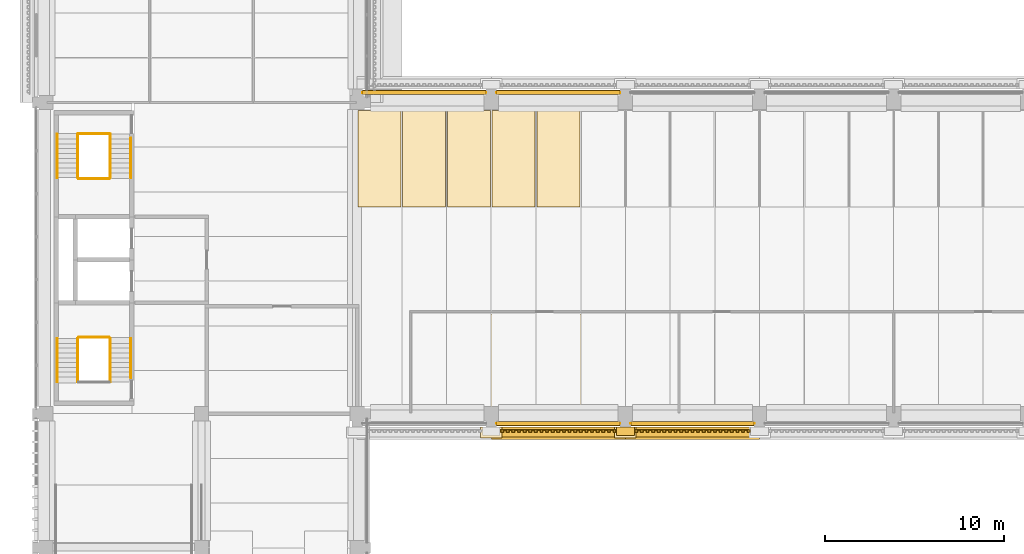
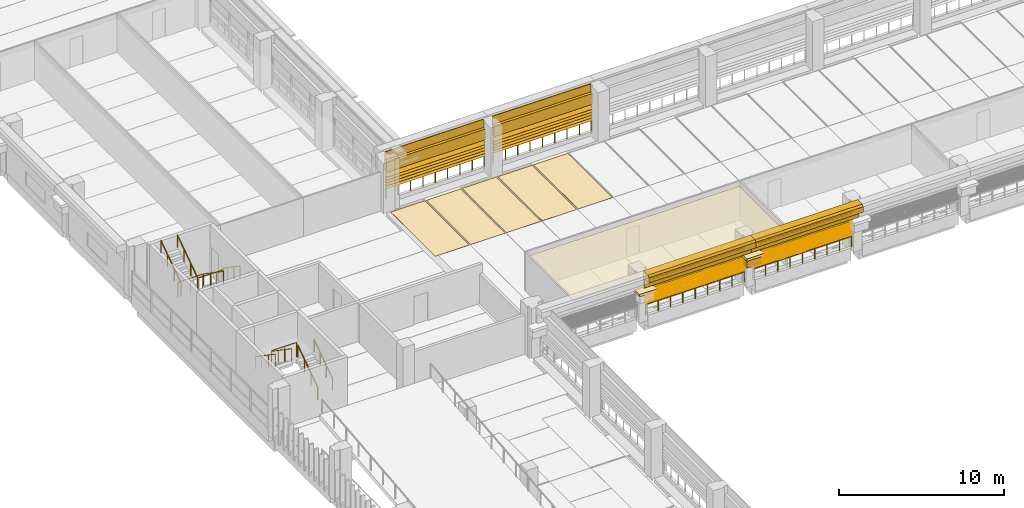
# One storey, part 42 of 71: 20 shading devices, 17 coverings, 15 railings.
"""IFC4 building model written with IfcOpenShell, lengths in metres."""

from ifc_helpers import new_model, si_unit, direction, frame, origin, origin_2d, place, context, subcontext, project, spatial, polyline, circle, outline, extrude, material, layer, layer_set, type_object, element, save


model = new_model("IFC4")

# Units and contexts
model_context = context("Model", 3, precision=1e-05, world=origin(), true_north=direction((0.0, 1.0)))
body_context = subcontext(model_context, "Body", "Model", "MODEL_VIEW")
ifc_project = project(units=[si_unit("LENGTHUNIT", "METRE"), si_unit("AREAUNIT", "SQUARE_METRE"), si_unit("VOLUMEUNIT", "CUBIC_METRE"), si_unit("PLANEANGLEUNIT", "RADIAN"), si_unit("MASSUNIT", "GRAM", prefix="KILO")], contexts=[model_context])

# Site, building, storey
site_placement = place(None, origin())
site = spatial("IfcSite", under=ifc_project, at=site_placement, CompositionType="ELEMENT")
building_placement = place(site_placement, origin())
building = spatial("IfcBuilding", under=site, at=building_placement, Name="Cour d'Honneur Mobility Palace", CompositionType="ELEMENT")
storey_placement = place(building_placement, frame((0.0, 0.0, 15.60009765625)))
storey = spatial("IfcBuildingStorey", under=building, at=storey_placement, Name="L04", CompositionType="ELEMENT", Elevation=15.60009765625)

# Railings
ifc_material_1 = material(Name="Painted steel", Category="steel")
railing_type_1 = type_object("IfcRailingType", Name="Balustrade", PredefinedType="BALUSTRADE", material=ifc_material_1)
for number, where, name in (
    (1, (25.199951171875, 44.449951171875, 0.2998046875), "Balustrade BAL-205"),
    (2, (32.699951171875, 44.449951171875, 0.2998046875), "Balustrade BAL-206"),
):
    element("IfcRailing", number, at=place(storey_placement, frame(where)), inside=storey, type_object=railing_type_1, Name=name, PredefinedType="BALUSTRADE", context=body_context, shape_type="SweptSolid", body=[
        extrude(circle(Radius=0.02392578125, at=origin_2d()), frame((0.0, 0.0, 0.77587890625), z_axis=(1.0, 0.0, 0.0), x_axis=(0.0, 1.0, 0.0)), (0.0, 0.0, 1.0), 6.900146484375),
        extrude(circle(Radius=0.02099609375, at=origin_2d()), origin(), (0.0, 0.0, 1.0), 0.751953125),
        extrude(circle(Radius=0.02099609375, at=origin_2d()), frame((0.862548828125, 0.0, 0.0)), (0.0, 0.0, 1.0), 0.751953125),
        extrude(circle(Radius=0.02099609375, at=origin_2d()), frame((1.72509765625, 0.0, 0.0)), (0.0, 0.0, 1.0), 0.751953125),
        extrude(circle(Radius=0.02099609375, at=origin_2d()), frame((2.587646484375, 0.0, 0.0)), (0.0, 0.0, 1.0), 0.751953125),
        extrude(circle(Radius=0.02099609375, at=origin_2d()), frame((3.4501953125, 0.0, 0.0)), (0.0, 0.0, 1.0), 0.751953125),
        extrude(circle(Radius=0.02099609375, at=origin_2d()), frame((4.3125, 0.0, 0.0)), (0.0, 0.0, 1.0), 0.751953125),
        extrude(circle(Radius=0.02099609375, at=origin_2d()), frame((5.175048828125, 0.0, 0.0)), (0.0, 0.0, 1.0), 0.751953125),
        extrude(circle(Radius=0.02099609375, at=origin_2d()), frame((6.03759765625, 0.0, 0.0)), (0.0, 0.0, 1.0), 0.751953125),
        extrude(circle(Radius=0.02099609375, at=origin_2d()), frame((6.900146484375, 0.0, 0.0)), (0.0, 0.0, 1.0), 0.751953125),
    ])
for number, where, name in (
    (3, (32.10009765625, 62.949951171875, 0.2998046875), "Balustrade BAL-250"),
    (4, (24.60009765625, 62.949951171875, 0.2998046875), "Balustrade BAL-251"),
):
    element("IfcRailing", number, at=place(storey_placement, frame(where)), inside=storey, type_object=railing_type_1, Name=name, PredefinedType="BALUSTRADE", context=body_context, shape_type="SweptSolid", body=[
        extrude(circle(Radius=0.02392578125, at=origin_2d()), frame((0.0, 0.0, 0.77587890625), z_axis=(-1.0, 0.0, 0.0), x_axis=(0.0, -1.0, 0.0)), (0.0, 0.0, 1.0), 6.900146484375),
        extrude(circle(Radius=0.02099609375, at=origin_2d()), origin(), (0.0, 0.0, 1.0), 0.751953125),
        extrude(circle(Radius=0.02099609375, at=origin_2d()), frame((-0.862548828125, 0.0, 0.0)), (0.0, 0.0, 1.0), 0.751953125),
        extrude(circle(Radius=0.02099609375, at=origin_2d()), frame((-1.72509765625, 0.0, 0.0)), (0.0, 0.0, 1.0), 0.751953125),
        extrude(circle(Radius=0.02099609375, at=origin_2d()), frame((-2.587646484375, 0.0, 0.0)), (0.0, 0.0, 1.0), 0.751953125),
        extrude(circle(Radius=0.02099609375, at=origin_2d()), frame((-3.4501953125, 0.0, 0.0)), (0.0, 0.0, 1.0), 0.751953125),
        extrude(circle(Radius=0.02099609375, at=origin_2d()), frame((-4.3125, 0.0, 0.0)), (0.0, 0.0, 1.0), 0.751953125),
        extrude(circle(Radius=0.02099609375, at=origin_2d()), frame((-5.175048828125, 0.0, 0.0)), (0.0, 0.0, 1.0), 0.751953125),
        extrude(circle(Radius=0.02099609375, at=origin_2d()), frame((-6.03759765625, 0.0, 0.0)), (0.0, 0.0, 1.0), 0.751953125),
        extrude(circle(Radius=0.02099609375, at=origin_2d()), frame((-6.900146484375, 0.0, 0.0)), (0.0, 0.0, 1.0), 0.751953125),
    ])

# Coverings
ifc_material_2 = material(Name="Cast limestone", Category="masonry")
ifc_layer_1 = layer(ifc_material_2, 0.14990234375)
ifc_layer_set_1 = layer_set([ifc_layer_1], Name="Cast limestone")
covering_type_1 = type_object("IfcCoveringType", Name="Dentil course", PredefinedType="CLADDING", material=ifc_layer_set_1)
covering_1_placement = place(storey_placement, frame((0.0, 0.0, 3.14990234375)))
element("IfcCovering", 5, at=covering_1_placement, inside=storey, type_object=covering_type_1, Name="Dentil course DC-71", PredefinedType="CLADDING", context=body_context, shape_type="SweptSolid", body=[
    extrude(outline(polyline([(25.35009765625, 44.10009765625), (31.949951171875, 44.10009765625), (31.949951171875, 44.070068359375), (31.949951171875, 44.070068359375), (31.871337890625, 44.070068359375), (31.871337890625, 43.949951171875), (31.71435546875, 43.949951171875), (31.71435546875, 44.070068359375), (31.6357421875, 44.070068359375), (31.6357421875, 44.070068359375), (31.55712890625, 44.070068359375), (31.55712890625, 43.949951171875), (31.39990234375, 43.949951171875), (31.39990234375, 44.070068359375), (31.321533203125, 44.070068359375), (31.321533203125, 44.070068359375), (31.242919921875, 44.070068359375), (31.242919921875, 43.949951171875), (31.085693359375, 43.949951171875), (31.085693359375, 44.070068359375), (31.007080078125, 44.070068359375), (31.007080078125, 44.070068359375), (30.928466796875, 44.070068359375), (30.928466796875, 43.949951171875), (30.771484375, 43.949951171875), (30.771484375, 44.070068359375), (30.69287109375, 44.070068359375), (30.69287109375, 44.070068359375), (30.6142578125, 44.070068359375), (30.6142578125, 43.949951171875), (30.45703125, 43.949951171875), (30.45703125, 44.070068359375), (30.378662109375, 44.070068359375), (30.378662109375, 44.070068359375), (30.300048828125, 44.070068359375), (30.300048828125, 43.949951171875), (30.142822265625, 43.949951171875), (30.142822265625, 44.070068359375), (30.064208984375, 44.070068359375), (30.064208984375, 44.070068359375), (29.985595703125, 44.070068359375), (29.985595703125, 43.949951171875), (29.82861328125, 43.949951171875), (29.82861328125, 44.070068359375), (29.75, 44.070068359375), (29.75, 44.070068359375), (29.67138671875, 44.070068359375), (29.67138671875, 43.949951171875), (29.514404296875, 43.949951171875), (29.514404296875, 44.070068359375), (29.435791015625, 44.070068359375), (29.435791015625, 44.070068359375), (29.357177734375, 44.070068359375), (29.357177734375, 43.949951171875), (29.199951171875, 43.949951171875), (29.199951171875, 44.070068359375), (29.121337890625, 44.070068359375), (29.121337890625, 44.070068359375), (29.04296875, 44.070068359375), (29.04296875, 43.949951171875), (28.8857421875, 43.949951171875), (28.8857421875, 44.070068359375), (28.80712890625, 44.070068359375), (28.80712890625, 44.070068359375), (28.728515625, 44.070068359375), (28.728515625, 43.949951171875), (28.571533203125, 43.949951171875), (28.571533203125, 44.070068359375), (28.492919921875, 44.070068359375), (28.492919921875, 44.070068359375), (28.414306640625, 44.070068359375), (28.414306640625, 43.949951171875), (28.257080078125, 43.949951171875), (28.257080078125, 44.070068359375), (28.178466796875, 44.070068359375), (28.178466796875, 44.070068359375), (28.10009765625, 44.070068359375), (28.10009765625, 43.949951171875), (27.94287109375, 43.949951171875), (27.94287109375, 44.070068359375), (27.8642578125, 44.070068359375), (27.8642578125, 44.070068359375), (27.78564453125, 44.070068359375), (27.78564453125, 43.949951171875), (27.628662109375, 43.949951171875), (27.628662109375, 44.070068359375), (27.550048828125, 44.070068359375), (27.550048828125, 44.070068359375), (27.471435546875, 44.070068359375), (27.471435546875, 43.949951171875), (27.314208984375, 43.949951171875), (27.314208984375, 44.070068359375), (27.235595703125, 44.070068359375), (27.235595703125, 44.070068359375), (27.1572265625, 44.070068359375), (27.1572265625, 43.949951171875), (27.0, 43.949951171875), (27.0, 44.070068359375), (26.92138671875, 44.070068359375), (26.92138671875, 44.070068359375), (26.8427734375, 44.070068359375), (26.8427734375, 43.949951171875), (26.685791015625, 43.949951171875), (26.685791015625, 44.070068359375), (26.607177734375, 44.070068359375), (26.607177734375, 44.070068359375), (26.528564453125, 44.070068359375), (26.528564453125, 43.949951171875), (26.371337890625, 43.949951171875), (26.371337890625, 44.070068359375), (26.29296875, 44.070068359375), (26.29296875, 44.070068359375), (26.21435546875, 44.070068359375), (26.21435546875, 43.949951171875), (26.05712890625, 43.949951171875), (26.05712890625, 44.070068359375), (25.978515625, 44.070068359375), (25.978515625, 44.070068359375), (25.89990234375, 44.070068359375), (25.89990234375, 43.949951171875), (25.742919921875, 43.949951171875), (25.742919921875, 44.070068359375), (25.664306640625, 44.070068359375), (25.664306640625, 44.070068359375), (25.585693359375, 44.070068359375), (25.585693359375, 43.949951171875), (25.428466796875, 43.949951171875), (25.428466796875, 44.070068359375), (25.35009765625, 44.070068359375), (25.35009765625, 44.10009765625)])), origin(), (0.0, 0.0, 1.0), 0.14990234375),
])
covering_2_placement = place(storey_placement, frame((0.0, 0.0, 3.14990234375)))
element("IfcCovering", 6, at=covering_2_placement, inside=storey, type_object=covering_type_1, Name="Dentil course DC-72", PredefinedType="CLADDING", context=body_context, shape_type="SweptSolid", body=[
    extrude(outline(polyline([(32.85009765625, 44.10009765625), (39.449951171875, 44.10009765625), (39.449951171875, 44.070068359375), (39.449951171875, 44.070068359375), (39.371337890625, 44.070068359375), (39.371337890625, 43.949951171875), (39.21435546875, 43.949951171875), (39.21435546875, 44.070068359375), (39.1357421875, 44.070068359375), (39.1357421875, 44.070068359375), (39.05712890625, 44.070068359375), (39.05712890625, 43.949951171875), (38.89990234375, 43.949951171875), (38.89990234375, 44.070068359375), (38.821533203125, 44.070068359375), (38.821533203125, 44.070068359375), (38.742919921875, 44.070068359375), (38.742919921875, 43.949951171875), (38.585693359375, 43.949951171875), (38.585693359375, 44.070068359375), (38.507080078125, 44.070068359375), (38.507080078125, 44.070068359375), (38.428466796875, 44.070068359375), (38.428466796875, 43.949951171875), (38.271484375, 43.949951171875), (38.271484375, 44.070068359375), (38.19287109375, 44.070068359375), (38.19287109375, 44.070068359375), (38.1142578125, 44.070068359375), (38.1142578125, 43.949951171875), (37.95703125, 43.949951171875), (37.95703125, 44.070068359375), (37.878662109375, 44.070068359375), (37.878662109375, 44.070068359375), (37.800048828125, 44.070068359375), (37.800048828125, 43.949951171875), (37.642822265625, 43.949951171875), (37.642822265625, 44.070068359375), (37.564208984375, 44.070068359375), (37.564208984375, 44.070068359375), (37.485595703125, 44.070068359375), (37.485595703125, 43.949951171875), (37.32861328125, 43.949951171875), (37.32861328125, 44.070068359375), (37.25, 44.070068359375), (37.25, 44.070068359375), (37.17138671875, 44.070068359375), (37.17138671875, 43.949951171875), (37.014404296875, 43.949951171875), (37.014404296875, 44.070068359375), (36.935791015625, 44.070068359375), (36.935791015625, 44.070068359375), (36.857177734375, 44.070068359375), (36.857177734375, 43.949951171875), (36.699951171875, 43.949951171875), (36.699951171875, 44.070068359375), (36.621337890625, 44.070068359375), (36.621337890625, 44.070068359375), (36.54296875, 44.070068359375), (36.54296875, 43.949951171875), (36.3857421875, 43.949951171875), (36.3857421875, 44.070068359375), (36.30712890625, 44.070068359375), (36.30712890625, 44.070068359375), (36.228515625, 44.070068359375), (36.228515625, 43.949951171875), (36.071533203125, 43.949951171875), (36.071533203125, 44.070068359375), (35.992919921875, 44.070068359375), (35.992919921875, 44.070068359375), (35.914306640625, 44.070068359375), (35.914306640625, 43.949951171875), (35.757080078125, 43.949951171875), (35.757080078125, 44.070068359375), (35.678466796875, 44.070068359375), (35.678466796875, 44.070068359375), (35.60009765625, 44.070068359375), (35.60009765625, 43.949951171875), (35.44287109375, 43.949951171875), (35.44287109375, 44.070068359375), (35.3642578125, 44.070068359375), (35.3642578125, 44.070068359375), (35.28564453125, 44.070068359375), (35.28564453125, 43.949951171875), (35.128662109375, 43.949951171875), (35.128662109375, 44.070068359375), (35.050048828125, 44.070068359375), (35.050048828125, 44.070068359375), (34.971435546875, 44.070068359375), (34.971435546875, 43.949951171875), (34.814208984375, 43.949951171875), (34.814208984375, 44.070068359375), (34.735595703125, 44.070068359375), (34.735595703125, 44.070068359375), (34.6572265625, 44.070068359375), (34.6572265625, 43.949951171875), (34.5, 43.949951171875), (34.5, 44.070068359375), (34.42138671875, 44.070068359375), (34.42138671875, 44.070068359375), (34.3427734375, 44.070068359375), (34.3427734375, 43.949951171875), (34.185791015625, 43.949951171875), (34.185791015625, 44.070068359375), (34.107177734375, 44.070068359375), (34.107177734375, 44.070068359375), (34.028564453125, 44.070068359375), (34.028564453125, 43.949951171875), (33.871337890625, 43.949951171875), (33.871337890625, 44.070068359375), (33.79296875, 44.070068359375), (33.79296875, 44.070068359375), (33.71435546875, 44.070068359375), (33.71435546875, 43.949951171875), (33.55712890625, 43.949951171875), (33.55712890625, 44.070068359375), (33.478515625, 44.070068359375), (33.478515625, 44.070068359375), (33.39990234375, 44.070068359375), (33.39990234375, 43.949951171875), (33.242919921875, 43.949951171875), (33.242919921875, 44.070068359375), (33.164306640625, 44.070068359375), (33.164306640625, 44.070068359375), (33.085693359375, 44.070068359375), (33.085693359375, 43.949951171875), (32.928466796875, 43.949951171875), (32.928466796875, 44.070068359375), (32.85009765625, 44.070068359375), (32.85009765625, 44.10009765625)])), origin(), (0.0, 0.0, 1.0), 0.14990234375),
])
ifc_material_3 = material(Name="Cast limestone", Category="masonry")
ifc_layer_2 = layer(ifc_material_3, 0.699951171875)
ifc_layer_set_2 = layer_set([ifc_layer_2], Name="Cast limestone")
covering_type_2 = type_object("IfcCoveringType", Name="Entablature", PredefinedType="CLADDING", material=ifc_layer_set_2)
for number, where, z_axis, x_axis, name in (
    (7, (24.89990234375, 44.25, 2.599853515625), (-1.0, 0.0, 0.0), (0.0, -1.0, 0.0), "Entablature EN-71"),
    (8, (32.39990234375, 44.25, 2.599853515625), (-1.0, 0.0, 0.0), (0.0, -1.0, 0.0), "Entablature EN-72"),
):
    element("IfcCovering", number, at=place(storey_placement, frame(where, z_axis=z_axis, x_axis=x_axis)), inside=storey, type_object=covering_type_2, Name=name, PredefinedType="CLADDING", context=body_context, shape_type="SweptSolid", body=[
        extrude(outline(polyline([(0.0, 0.0), (0.14990234375, 0.0), (0.14990234375, 0.699951171875), (0.699951171875, 0.699951171875), (0.699951171875, 1.10009765625), (0.550048828125, 1.199951171875), (0.0, 1.199951171875), (0.0, 0.0)])), origin(), (0.0, 0.0, -1.0), 7.5),
    ])

# Railings
ifc_material_4 = material(Name="Painted steel", Category="steel")
railing_type_2 = type_object("IfcRailingType", Name="Guardrail 1100", PredefinedType="GUARDRAIL", material=ifc_material_4)
for number, where, name in (
    (9, (1.824951171875, 49.264892578125, 1.849853515625), "Landing guard ST-CW1"),
    (10, (1.824951171875, 60.64501953125, 0.0), "Guard ST-CW2"),
    (11, (1.824951171875, 58.135009765625, 1.849853515625), "Landing guard ST-CW2"),
):
    element("IfcRailing", number, at=place(storey_placement, frame(where)), inside=storey, type_object=railing_type_2, Name=name, PredefinedType="GUARDRAIL", context=body_context, shape_type="SweptSolid", body=[
        extrude(circle(Radius=0.02490234375, at=origin_2d()), frame((0.0, 0.0, 1.0751953125), z_axis=(1.0, 0.0, 0.0), x_axis=(0.0, 1.0, 0.0)), (0.0, 0.0, 1.0), 1.72509765625),
        extrude(circle(Radius=0.02099609375, at=origin_2d()), origin(), (0.0, 0.0, 1.0), 1.050048828125),
        extrude(circle(Radius=0.02099609375, at=origin_2d()), frame((0.862548828125, 0.0, 0.0)), (0.0, 0.0, 1.0), 1.050048828125),
        extrude(circle(Radius=0.02099609375, at=origin_2d()), frame((1.72509765625, 0.0, 0.0)), (0.0, 0.0, 1.0), 1.050048828125),
    ])
ifc_material_5 = material(Name="Stainless steel", Category="steel")
railing_type_3 = type_object("IfcRailingType", Name="Handrail round 50", PredefinedType="HANDRAIL", material=ifc_material_5)
railing_1_placement = place(storey_placement, frame((4.75, 47.0, 0.339111328125)))
element("IfcRailing", 12, at=railing_1_placement, inside=storey, type_object=railing_type_3, Name="Handrail ST-CW1", PredefinedType="HANDRAIL", context=body_context, shape_type="SweptSolid", body=[
    extrude(circle(Radius=0.02490234375, at=origin_2d()), frame((0.0, 0.0, 0.89501953125), z_axis=(0.0, 0.824957609129, 0.565194606432), x_axis=(-1.0, 0.0, 0.0)), (0.0, 0.0, 1.0), 2.6728515625),
    extrude(circle(Radius=0.02099609375, at=origin_2d()), origin(), (0.0, 0.0, 1.0), 0.869873046875),
    extrude(circle(Radius=0.02099609375, at=origin_2d()), frame((0.0, 0.735107421875, 0.503662109375)), (0.0, 0.0, 1.0), 0.869873046875),
    extrude(circle(Radius=0.02099609375, at=origin_2d()), frame((0.0, 1.469970703125, 1.007080078125)), (0.0, 0.0, 1.0), 0.869873046875),
    extrude(circle(Radius=0.02099609375, at=origin_2d()), frame((0.0, 2.205078125, 1.5107421875)), (0.0, 0.0, 1.0), 0.869873046875),
])
railing_2_placement = place(storey_placement, frame((3.60009765625, 46.77490234375, 0.184814453125)))
element("IfcRailing", 13, at=railing_2_placement, inside=storey, type_object=railing_type_3, Name="Handrail ST-CW1", PredefinedType="HANDRAIL", context=body_context, shape_type="SweptSolid", body=[
    extrude(circle(Radius=0.02490234375, at=origin_2d()), frame((0.0, 0.0, 0.89501953125), z_axis=(0.0, 0.824945253146, 0.565212640793), x_axis=(-1.0, 0.0, 0.0)), (0.0, 0.0, 1.0), 2.94580078125),
    extrude(circle(Radius=0.02099609375, at=origin_2d()), origin(), (0.0, 0.0, 1.0), 0.869873046875),
    extrude(circle(Radius=0.02099609375, at=origin_2d()), frame((0.0, 0.81005859375, 0.554931640625)), (0.0, 0.0, 1.0), 0.869873046875),
    extrude(circle(Radius=0.02099609375, at=origin_2d()), frame((0.0, 1.6201171875, 1.110107421875)), (0.0, 0.0, 1.0), 0.869873046875),
    extrude(circle(Radius=0.02099609375, at=origin_2d()), frame((0.0, 2.43017578125, 1.6650390625)), (0.0, 0.0, 1.0), 0.869873046875),
])
for number, where, name in (
    (14, (1.77490234375, 49.205078125, 2.034912109375), "Handrail ST-CW1"),
    (15, (0.625, 49.205078125, 2.034912109375), "Handrail ST-CW1"),
):
    element("IfcRailing", number, at=place(storey_placement, frame(where)), inside=storey, type_object=railing_type_3, Name=name, PredefinedType="HANDRAIL", context=body_context, shape_type="SweptSolid", body=[
        extrude(circle(Radius=0.02490234375, at=origin_2d()), frame((0.0, 0.0, 0.89501953125), z_axis=(0.0, -0.824945253146, 0.565212640793), x_axis=(1.0, 0.0, 0.0)), (0.0, 0.0, 1.0), 2.94580078125),
        extrude(circle(Radius=0.02099609375, at=origin_2d()), origin(), (0.0, 0.0, 1.0), 0.869873046875),
        extrude(circle(Radius=0.02099609375, at=origin_2d()), frame((0.0, -0.81005859375, 0.554931640625)), (0.0, 0.0, 1.0), 0.869873046875),
        extrude(circle(Radius=0.02099609375, at=origin_2d()), frame((0.0, -1.6201171875, 1.110107421875)), (0.0, 0.0, 1.0), 0.869873046875),
        extrude(circle(Radius=0.02099609375, at=origin_2d()), frame((0.0, -2.43017578125, 1.6650390625)), (0.0, 0.0, 1.0), 0.869873046875),
    ])
railing_3_placement = place(storey_placement, frame((4.75, 60.39990234375, 0.339111328125)))
element("IfcRailing", 16, at=railing_3_placement, inside=storey, type_object=railing_type_3, Name="Handrail ST-CW2", PredefinedType="HANDRAIL", context=body_context, shape_type="SweptSolid", body=[
    extrude(circle(Radius=0.02490234375, at=origin_2d()), frame((0.0, 0.0, 0.89501953125), z_axis=(0.0, -0.824928428624, 0.565237195917), x_axis=(1.0, 0.0, 0.0)), (0.0, 0.0, 1.0), 2.6728515625),
    extrude(circle(Radius=0.02099609375, at=origin_2d()), origin(), (0.0, 0.0, 1.0), 0.869873046875),
    extrude(circle(Radius=0.02099609375, at=origin_2d()), frame((0.0, -0.73486328125, 0.503662109375)), (0.0, 0.0, 1.0), 0.869873046875),
    extrude(circle(Radius=0.02099609375, at=origin_2d()), frame((0.0, -1.469970703125, 1.007080078125)), (0.0, 0.0, 1.0), 0.869873046875),
    extrude(circle(Radius=0.02099609375, at=origin_2d()), frame((0.0, -2.204833984375, 1.5107421875)), (0.0, 0.0, 1.0), 0.869873046875),
])
railing_4_placement = place(storey_placement, frame((3.60009765625, 60.625, 0.184814453125)))
element("IfcRailing", 17, at=railing_4_placement, inside=storey, type_object=railing_type_3, Name="Handrail ST-CW2", PredefinedType="HANDRAIL", context=body_context, shape_type="SweptSolid", body=[
    extrude(circle(Radius=0.02490234375, at=origin_2d()), frame((0.0, 0.0, 0.89501953125), z_axis=(0.0, -0.8249187745, 0.56525128525), x_axis=(1.0, 0.0, 0.0)), (0.0, 0.0, 1.0), 2.945556640625),
    extrude(circle(Radius=0.02099609375, at=origin_2d()), origin(), (0.0, 0.0, 1.0), 0.869873046875),
    extrude(circle(Radius=0.02099609375, at=origin_2d()), frame((0.0, -0.81005859375, 0.554931640625)), (0.0, 0.0, 1.0), 0.869873046875),
    extrude(circle(Radius=0.02099609375, at=origin_2d()), frame((0.0, -1.619873046875, 1.110107421875)), (0.0, 0.0, 1.0), 0.869873046875),
    extrude(circle(Radius=0.02099609375, at=origin_2d()), frame((0.0, -2.429931640625, 1.6650390625)), (0.0, 0.0, 1.0), 0.869873046875),
])
for number, where, name in (
    (18, (1.77490234375, 58.195068359375, 2.034912109375), "Handrail ST-CW2"),
    (19, (0.625, 58.195068359375, 2.034912109375), "Handrail ST-CW2"),
):
    element("IfcRailing", number, at=place(storey_placement, frame(where)), inside=storey, type_object=railing_type_3, Name=name, PredefinedType="HANDRAIL", context=body_context, shape_type="SweptSolid", body=[
        extrude(circle(Radius=0.02490234375, at=origin_2d()), frame((0.0, 0.0, 0.89501953125), z_axis=(0.0, 0.8249187745, 0.56525128525), x_axis=(-1.0, 0.0, 0.0)), (0.0, 0.0, 1.0), 2.945556640625),
        extrude(circle(Radius=0.02099609375, at=origin_2d()), origin(), (0.0, 0.0, 1.0), 0.869873046875),
        extrude(circle(Radius=0.02099609375, at=origin_2d()), frame((0.0, 0.81005859375, 0.554931640625)), (0.0, 0.0, 1.0), 0.869873046875),
        extrude(circle(Radius=0.02099609375, at=origin_2d()), frame((0.0, 1.619873046875, 1.110107421875)), (0.0, 0.0, 1.0), 0.869873046875),
        extrude(circle(Radius=0.02099609375, at=origin_2d()), frame((0.0, 2.429931640625, 1.6650390625)), (0.0, 0.0, 1.0), 0.869873046875),
    ])

# Coverings
ifc_material_6 = material(Name="Parking marking paint")
ifc_layer_3 = layer(ifc_material_6, 0.0048828125)
ifc_layer_set_3 = layer_set([ifc_layer_3], Name="Parking marking paint")
covering_type_3 = type_object("IfcCoveringType", Name="Parking bay marking", PredefinedType="FLOORING", material=ifc_layer_set_3)
covering_3_placement = place(storey_placement, origin())
element("IfcCovering", 20, at=covering_3_placement, inside=storey, type_object=covering_type_3, Name="Parking bay marking L04 1", PredefinedType="FLOORING", context=body_context, shape_type="SweptSolid", body=[
    extrude(outline(polyline([(19.85009765625, 56.550048828125), (17.449951171875, 56.550048828125), (17.449951171875, 61.949951171875), (19.85009765625, 61.949951171875), (19.85009765625, 56.550048828125)])), origin(), (0.0, 0.0, 1.0), 0.0048828125),
])
covering_4_placement = place(storey_placement, origin())
element("IfcCovering", 21, at=covering_4_placement, inside=storey, type_object=covering_type_3, Name="Parking bay marking L04 12", PredefinedType="FLOORING", context=body_context, shape_type="SweptSolid", body=[
    extrude(outline(polyline([(22.35009765625, 56.550048828125), (19.949951171875, 56.550048828125), (19.949951171875, 61.949951171875), (22.35009765625, 61.949951171875), (22.35009765625, 56.550048828125)])), origin(), (0.0, 0.0, 1.0), 0.0048828125),
])
covering_5_placement = place(storey_placement, origin())
element("IfcCovering", 22, at=covering_5_placement, inside=storey, type_object=covering_type_3, Name="Parking bay marking L04 15", PredefinedType="FLOORING", context=body_context, shape_type="SweptSolid", body=[
    extrude(outline(polyline([(24.85009765625, 56.550048828125), (22.449951171875, 56.550048828125), (22.449951171875, 61.949951171875), (24.85009765625, 61.949951171875), (24.85009765625, 56.550048828125)])), origin(), (0.0, 0.0, 1.0), 0.0048828125),
])
covering_6_placement = place(storey_placement, origin())
element("IfcCovering", 23, at=covering_6_placement, inside=storey, type_object=covering_type_3, Name="Parking bay marking L04 26", PredefinedType="FLOORING", context=body_context, shape_type="SweptSolid", body=[
    extrude(outline(polyline([(27.35009765625, 56.550048828125), (24.949951171875, 56.550048828125), (24.949951171875, 61.949951171875), (27.35009765625, 61.949951171875), (27.35009765625, 56.550048828125)])), origin(), (0.0, 0.0, 1.0), 0.0048828125),
])
covering_7_placement = place(storey_placement, origin())
element("IfcCovering", 24, at=covering_7_placement, inside=storey, type_object=covering_type_3, Name="Parking bay marking L04 37", PredefinedType="FLOORING", context=body_context, shape_type="SweptSolid", body=[
    extrude(outline(polyline([(29.85009765625, 56.550048828125), (27.449951171875, 56.550048828125), (27.449951171875, 61.949951171875), (29.85009765625, 61.949951171875), (29.85009765625, 56.550048828125)])), origin(), (0.0, 0.0, 1.0), 0.0048828125),
])
ifc_material_7 = material(Name="Cast limestone", Category="masonry")
ifc_layer_4 = layer(ifc_material_7, 0.1201171875)
ifc_layer_set_4 = layer_set([ifc_layer_4], Name="Cast limestone")
covering_type_4 = type_object("IfcCoveringType", Name="Pilaster capital", PredefinedType="CLADDING", material=ifc_layer_set_4)
covering_8_placement = place(storey_placement, frame((0.0, 0.0, 2.419921875)))
element("IfcCovering", 25, at=covering_8_placement, inside=storey, type_object=covering_type_4, Name="Pilaster capital PK-22", PredefinedType="CLADDING", context=body_context, shape_type="SweptSolid", body=[
    extrude(outline(polyline([(24.300048828125, 44.25), (25.5, 44.25), (25.5, 43.64990234375), (24.300048828125, 43.64990234375), (24.300048828125, 44.25)])), origin(), (0.0, 0.0, 1.0), 0.179931640625),
])
covering_9_placement = place(storey_placement, frame((0.0, 0.0, 1.7998046875)))
element("IfcCovering", 26, at=covering_9_placement, inside=storey, type_object=covering_type_4, Name="Pilaster capital PK-23", PredefinedType="CLADDING", context=body_context, shape_type="SweptSolid", body=[
    extrude(outline(polyline([(31.89990234375, 44.25), (32.89990234375, 44.25), (32.89990234375, 43.780029296875), (31.89990234375, 43.780029296875), (31.89990234375, 44.25)])), origin(), (0.0, 0.0, 1.0), 0.6201171875),
])
covering_10_placement = place(storey_placement, frame((0.0, 0.0, 2.419921875)))
element("IfcCovering", 27, at=covering_10_placement, inside=storey, type_object=covering_type_4, Name="Pilaster capital PK-24", PredefinedType="CLADDING", context=body_context, shape_type="SweptSolid", body=[
    extrude(outline(polyline([(31.800048828125, 44.25), (33.0, 44.25), (33.0, 43.64990234375), (31.800048828125, 43.64990234375), (31.800048828125, 44.25)])), origin(), (0.0, 0.0, 1.0), 0.179931640625),
])
ifc_material_8 = material(Name="Cast limestone", Category="masonry")
ifc_layer_5 = layer(ifc_material_8, 0.25)
ifc_layer_set_5 = layer_set([ifc_layer_5], Name="Cast limestone")
covering_type_5 = type_object("IfcCoveringType", Name="Spandrel cladding", PredefinedType="CLADDING", material=ifc_layer_set_5)
for number, where, z_axis, x_axis, name in (
    (28, (25.199951171875, 44.550048828125, 2.2998046875), (-1.0, 0.0, 0.0), (0.0, -1.0, 0.0), "Spandrel cladding SK-282"),
    (29, (32.699951171875, 44.550048828125, 2.2998046875), (-1.0, 0.0, 0.0), (0.0, -1.0, 0.0), "Spandrel cladding SK-283"),
    (30, (32.10009765625, 62.85009765625, 2.2998046875), (1.0, 0.0, 0.0), (0.0, 1.0, 0.0), "Spandrel cladding SK-329"),
    (31, (24.60009765625, 62.85009765625, 2.2998046875), (1.0, 0.0, 0.0), (0.0, 1.0, 0.0), "Spandrel cladding SK-330"),
):
    element("IfcCovering", number, at=place(storey_placement, frame(where, z_axis=z_axis, x_axis=x_axis)), inside=storey, type_object=covering_type_5, Name=name, PredefinedType="CLADDING", context=body_context, shape_type="SweptSolid", body=[
        extrude(outline(polyline([(0.0, 0.0), (0.25, 0.0), (0.25, 1.400146484375), (0.199951171875, 1.400146484375), (0.199951171875, 0.800048828125), (0.0, 0.800048828125), (0.0, 0.0)])), origin(), (0.0, 0.0, -1.0), 6.89990234375),
    ])
ifc_material_9 = material(Name="Suspended ceiling")
ifc_layer_6 = layer(ifc_material_9, 0.030029296875)
ifc_layer_set_6 = layer_set([ifc_layer_6], Name="Suspended ceiling")
covering_type_6 = type_object("IfcCoveringType", Name="Suspended ceiling", PredefinedType="CEILING", material=ifc_layer_set_6)
covering_11_placement = place(storey_placement, frame((0.0, 0.0, 2.5498046875)))
element("IfcCovering", 32, at=covering_11_placement, inside=storey, type_object=covering_type_6, Name="Ceiling Charging Customer Lounge", PredefinedType="CEILING", context=body_context, shape_type="SweptSolid", body=[
    extrude(outline(polyline([(35.280029296875, 45.1201171875), (20.52001953125, 45.1201171875), (20.52001953125, 50.580078125), (35.280029296875, 50.580078125), (35.280029296875, 45.1201171875)])), origin(), (0.0, 0.0, 1.0), 0.030029296875),
])

# Shading devices
ifc_material_10 = material(Name="Terracotta", Category="masonry")
ifc_layer_7 = layer(ifc_material_10, 0.02490234375)
ifc_layer_set_7 = layer_set([ifc_layer_7], Name="Terracotta")
shading_device_type = type_object("IfcShadingDeviceType", Name="Terracotta louvre blade", PredefinedType="JALOUSIE", material=ifc_layer_set_7)
for number, where, z_axis, x_axis, name in (
    (33, (25.199951171875, 44.55615234375, 1.099853515625), (0.0, 0.707106781187, 0.707106781187), (1.0, 0.0, 0.0), "Louvre blade LV-1 S2.1 L04 1"),
    (34, (25.199951171875, 44.55615234375, 1.31201171875), (0.0, 0.707106781187, 0.707106781187), (1.0, 0.0, 0.0), "Louvre blade LV-1 S2.1 L04 2"),
    (35, (25.199951171875, 44.55615234375, 1.524169921875), (0.0, 0.707106781187, 0.707106781187), (1.0, 0.0, 0.0), "Louvre blade LV-1 S2.1 L04 3"),
    (36, (25.199951171875, 44.55615234375, 1.736328125), (0.0, 0.707106781187, 0.707106781187), (1.0, 0.0, 0.0), "Louvre blade LV-1 S2.1 L04 4"),
    (37, (25.199951171875, 44.55615234375, 1.948486328125), (0.0, 0.707106781187, 0.707106781187), (1.0, 0.0, 0.0), "Louvre blade LV-1 S2.1 L04 5"),
    (38, (32.699951171875, 44.55615234375, 1.099853515625), (0.0, 0.707106781187, 0.707106781187), (1.0, 0.0, 0.0), "Louvre blade LV-1 S2.2 L04 1"),
    (39, (32.699951171875, 44.55615234375, 1.31201171875), (0.0, 0.707106781187, 0.707106781187), (1.0, 0.0, 0.0), "Louvre blade LV-1 S2.2 L04 2"),
    (40, (32.699951171875, 44.55615234375, 1.524169921875), (0.0, 0.707106781187, 0.707106781187), (1.0, 0.0, 0.0), "Louvre blade LV-1 S2.2 L04 3"),
    (41, (32.699951171875, 44.55615234375, 1.736328125), (0.0, 0.707106781187, 0.707106781187), (1.0, 0.0, 0.0), "Louvre blade LV-1 S2.2 L04 4"),
    (42, (32.699951171875, 44.55615234375, 1.948486328125), (0.0, 0.707106781187, 0.707106781187), (1.0, 0.0, 0.0), "Louvre blade LV-1 S2.2 L04 5"),
    (43, (32.10009765625, 62.843994140625, 1.099853515625), (0.0, -0.707106781187, 0.707106781187), (-1.0, 0.0, 0.0), "Louvre blade LV-1 N8.15 L04 1"),
    (44, (32.10009765625, 62.843994140625, 1.31201171875), (0.0, -0.707106781187, 0.707106781187), (-1.0, 0.0, 0.0), "Louvre blade LV-1 N8.15 L04 2"),
    (45, (32.10009765625, 62.843994140625, 1.524169921875), (0.0, -0.707106781187, 0.707106781187), (-1.0, 0.0, 0.0), "Louvre blade LV-1 N8.15 L04 3"),
    (46, (32.10009765625, 62.843994140625, 1.736328125), (0.0, -0.707106781187, 0.707106781187), (-1.0, 0.0, 0.0), "Louvre blade LV-1 N8.15 L04 4"),
    (47, (32.10009765625, 62.843994140625, 1.948486328125), (0.0, -0.707106781187, 0.707106781187), (-1.0, 0.0, 0.0), "Louvre blade LV-1 N8.15 L04 5"),
    (48, (24.60009765625, 62.843994140625, 1.099853515625), (0.0, -0.707106781187, 0.707106781187), (-1.0, 0.0, 0.0), "Louvre blade LV-1 N8.16 L04 1"),
    (49, (24.60009765625, 62.843994140625, 1.31201171875), (0.0, -0.707106781187, 0.707106781187), (-1.0, 0.0, 0.0), "Louvre blade LV-1 N8.16 L04 2"),
    (50, (24.60009765625, 62.843994140625, 1.524169921875), (0.0, -0.707106781187, 0.707106781187), (-1.0, 0.0, 0.0), "Louvre blade LV-1 N8.16 L04 3"),
    (51, (24.60009765625, 62.843994140625, 1.736328125), (0.0, -0.707106781187, 0.707106781187), (-1.0, 0.0, 0.0), "Louvre blade LV-1 N8.16 L04 4"),
    (52, (24.60009765625, 62.843994140625, 1.948486328125), (0.0, -0.707106781187, 0.707106781187), (-1.0, 0.0, 0.0), "Louvre blade LV-1 N8.16 L04 5"),
):
    element("IfcShadingDevice", number, at=place(storey_placement, frame(where, z_axis=z_axis, x_axis=x_axis)), inside=storey, type_object=shading_device_type, Name=name, PredefinedType="JALOUSIE", context=body_context, shape_type="SweptSolid", body=[
        extrude(outline(polyline([(0.0, 0.0), (6.900146484375, 0.0), (6.900146484375, -0.300037008228081), (0.0, -0.300037008228081), (0.0, 0.0)])), origin(), (0.0, 0.0, -1.0), 0.02490234375),
    ])

save(model, "model.ifc")
